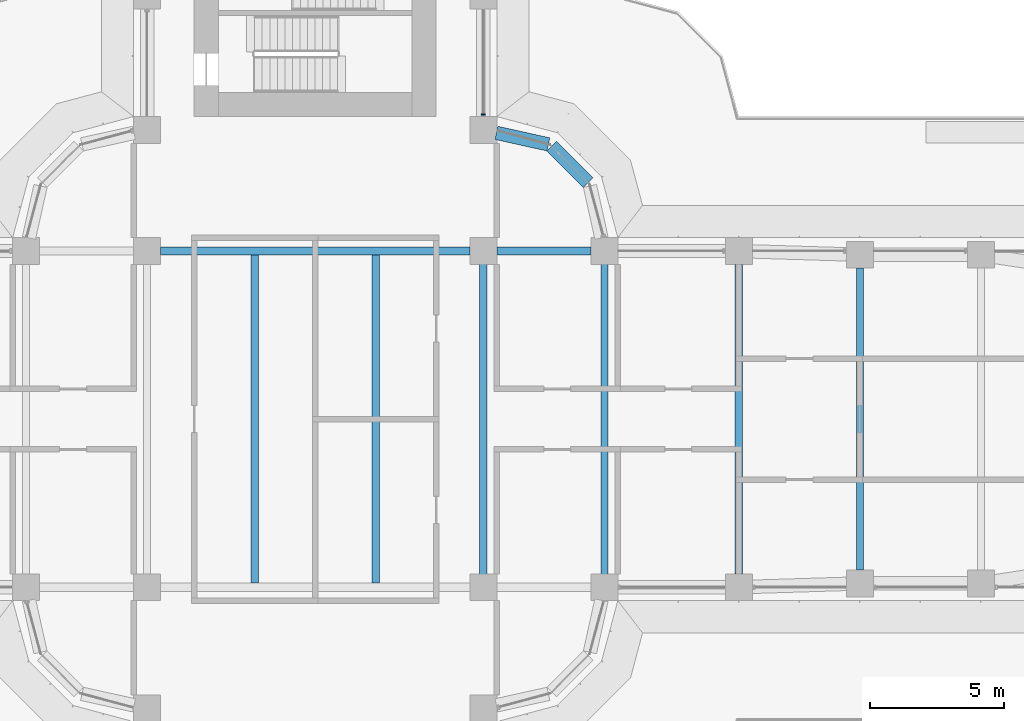
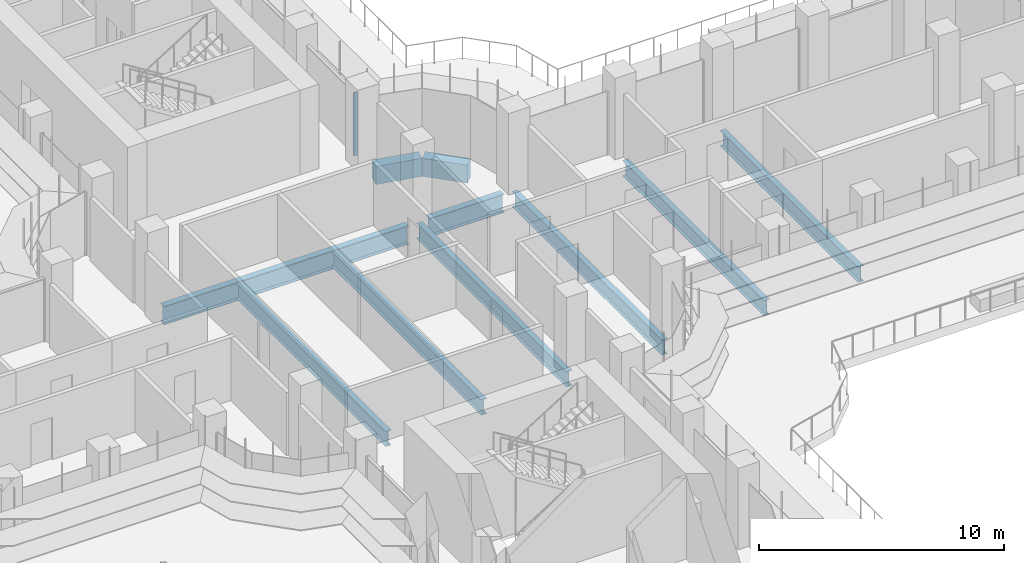
# One storey, part 8 of 26: 10 beams, 1 member, 1 element without a shape of its own.
"""IFC4 building model written with IfcOpenShell, lengths in metres."""

from ifc_helpers import new_model, si_unit, direction, frame, origin, origin_2d, place, context, subcontext, project, spatial, polyline, rectangle, i_section, outline, extrude, source, transform, mapped, material, material_profile, profile_set, type_object, element, aggregate, save


model = new_model("IFC4")

# Units and contexts
model_context = context("Model", 3, precision=1e-05, world=origin(), true_north=direction((0.0, 1.0)))
body_context = subcontext(model_context, "Body", "Model", "MODEL_VIEW")
ifc_project = project(units=[si_unit("LENGTHUNIT", "METRE"), si_unit("AREAUNIT", "SQUARE_METRE"), si_unit("VOLUMEUNIT", "CUBIC_METRE"), si_unit("PLANEANGLEUNIT", "RADIAN"), si_unit("MASSUNIT", "GRAM", prefix="KILO")], contexts=[model_context])

# Site, building, storey
site_placement = place(None, origin())
site = spatial("IfcSite", under=ifc_project, at=site_placement, CompositionType="ELEMENT")
building_placement = place(site_placement, origin())
building = spatial("IfcBuilding", under=site, at=building_placement, Name="Zarbagh Exchange Tower", CompositionType="ELEMENT")
storey_placement = place(building_placement, frame((0.0, 0.0, 27.0)))
storey = spatial("IfcBuildingStorey", under=building, at=storey_placement, Name="L05", CompositionType="ELEMENT", Elevation=27.0)

# Beams
ifc_material_1 = material(Name="Steel ASTM A992 Gr 50", Category="steel")
ifc_material_profile_1 = material_profile(ifc_material_1, i_section(OverallWidth=0.2666015625, OverallDepth=0.76708984375, WebThickness=0.014892578125, FlangeThickness=0.023681640625, at=origin_2d()), Name="W30X124")
ifc_profile_set_1 = profile_set([ifc_material_profile_1], Name="Steel ASTM A992 Gr 50")
beam_type_1 = type_object("IfcBeamType", Name="Floor beam W30X124", PredefinedType="BEAM", material=ifc_profile_set_1)
for number, where, z_axis, x_axis, name in (
    (1, (-2.25, -6.09765625, -0.533447265625), (0.0, 1.0, 0.0), (-1.0, 0.0, 0.0), "Steel floor beam"),
    (2, (2.25, -6.09765625, -0.533447265625), (0.0, 1.0, 0.0), (-1.0, 0.0, 0.0), "Steel floor beam"),
    (3, (6.25, -6.09765625, -0.533447265625), (0.0, 1.0, 0.0), (-1.0, 0.0, 0.0), "Steel floor beam"),
    (4, (10.75, -6.09765625, -0.533447265625), (0.0, 1.0, 0.0), (-1.0, 0.0, 0.0), "Steel floor beam"),
):
    element("IfcBeam", number, at=place(storey_placement, frame(where, z_axis=z_axis, x_axis=x_axis)), inside=storey, type_object=beam_type_1, Name=name, PredefinedType="BEAM", context=body_context, shape_type="SweptSolid", body=[
        extrude(i_section(OverallWidth=0.2666015625, OverallDepth=0.76708984375, WebThickness=0.014892578125, FlangeThickness=0.023681640625, at=origin_2d()), origin(), (0.0, 0.0, 1.0), 12.1953125),
    ])
beam_1_placement = place(storey_placement, frame((15.75, -5.75, -0.533447265625), z_axis=(0.0, 1.0, 0.0), x_axis=(-1.0, 0.0, 0.0)))
element("IfcBeam", 5, at=beam_1_placement, inside=storey, type_object=beam_type_1, Name="Steel floor beam", PredefinedType="BEAM", context=body_context, shape_type="SweptSolid", body=[
    extrude(i_section(OverallWidth=0.2666015625, OverallDepth=0.76708984375, WebThickness=0.014892578125, FlangeThickness=0.023681640625, at=origin_2d()), origin(), (0.0, 0.0, 1.0), 11.5),
])
beam_2_placement = place(storey_placement, frame((20.25, -5.610107421875, -0.533447265625), z_axis=(0.0, 1.0, 0.0), x_axis=(-1.0, 0.0, 0.0)))
element("IfcBeam", 6, at=beam_2_placement, inside=storey, type_object=beam_type_1, Name="Steel floor beam", PredefinedType="BEAM", context=body_context, shape_type="SweptSolid", body=[
    extrude(i_section(OverallWidth=0.2666015625, OverallDepth=0.76708984375, WebThickness=0.014892578125, FlangeThickness=0.023681640625, at=origin_2d()), origin(), (0.0, 0.0, 1.0), 11.22021484375),
])
ifc_material_profile_2 = material_profile(ifc_material_1, i_section(OverallWidth=0.3046875, OverallDepth=0.91943359375, WebThickness=0.017333984375, FlangeThickness=0.02783203125, at=origin_2d()), Name="W36X170")
ifc_profile_set_2 = profile_set([ifc_material_profile_2], Name="Steel ASTM A992 Gr 50")
beam_type_2 = type_object("IfcBeamType", Name="Floor girder W36X170", PredefinedType="BEAM", material=ifc_profile_set_2)
beam_3_placement = place(storey_placement, frame((-5.75, 6.25, -0.609619140625), z_axis=(1.0, 0.0, 0.0), x_axis=(0.0, 1.0, 0.0)))
element("IfcBeam", 7, at=beam_3_placement, inside=storey, type_object=beam_type_2, Name="Steel girder", PredefinedType="BEAM", context=body_context, shape_type="SweptSolid", body=[
    extrude(i_section(OverallWidth=0.3046875, OverallDepth=0.91943359375, WebThickness=0.017333984375, FlangeThickness=0.02783203125, at=origin_2d()), origin(), (0.0, 0.0, 1.0), 11.5),
])
beam_4_placement = place(storey_placement, frame((6.75, 6.25, -0.609619140625), z_axis=(1.0, 0.0, 0.0), x_axis=(0.0, 1.0, 0.0)))
element("IfcBeam", 8, at=beam_4_placement, inside=storey, type_object=beam_type_2, Name="Steel girder", PredefinedType="BEAM", context=body_context, shape_type="SweptSolid", body=[
    extrude(i_section(OverallWidth=0.3046875, OverallDepth=0.91943359375, WebThickness=0.017333984375, FlangeThickness=0.02783203125, at=origin_2d()), origin(), (0.0, 0.0, 1.0), 3.5),
])
ifc_material_2 = material(Name="Concrete C60/75", Category="concrete")
ifc_material_profile_3 = material_profile(ifc_material_2, rectangle(XDim=0.5, YDim=0.89990234375, at=origin_2d()), Name="RC spandrel beam 500 x 900 C60/75")
ifc_profile_set_3 = profile_set([ifc_material_profile_3], Name="Concrete C60/75")
beam_type_3 = type_object("IfcBeamType", Name="RC spandrel beam 500 x 900 C60/75", PredefinedType="SPANDREL", material=ifc_profile_set_3)
beam_5_placement = place(storey_placement, frame((6.73828125, 10.64208984375, -0.60009765625), z_axis=(0.976375426825, -0.216081063242, 0.0), x_axis=(0.216081063242, 0.976375426825, 0.0)))
element("IfcBeam", 9, at=beam_5_placement, inside=storey, type_object=beam_type_3, Name="RC spandrel beam", PredefinedType="SPANDREL", context=body_context, shape_type="SweptSolid", body=[
    extrude(rectangle(XDim=0.5, YDim=0.89990234375, at=origin_2d()), origin(), (0.0, 0.0, 1.0), 1.978271484375),
])
beam_6_placement = place(storey_placement, frame((8.792724609375, 10.147216796875, -0.60009765625), z_axis=(0.707106781187, -0.707106781187, 0.0), x_axis=(0.707106781187, 0.707106781187, 0.0)))
element("IfcBeam", 10, at=beam_6_placement, inside=storey, type_object=beam_type_3, Name="RC spandrel beam", PredefinedType="SPANDREL", context=body_context, shape_type="SweptSolid", body=[
    extrude(rectangle(XDim=0.5, YDim=0.89990234375, at=origin_2d()), origin(), (0.0, 0.0, 1.0), 1.91552734375),
])

# Curtain wall, member
ifc_material_3 = material(Name="Anodised aluminium frame and glazing", Category="aluminium")
curtain_wall_type = type_object("IfcCurtainWallType", Name="CWA Ribbon glazing, lower zones", PredefinedType="NOTDEFINED", material=ifc_material_3)
curtain_wall_placement = place(storey_placement, origin())
curtain_wall = element("IfcCurtainWall", 11, at=curtain_wall_placement, inside=storey, type_object=curtain_wall_type, Name="CWA20 curtain wall", PredefinedType="NOTDEFINED")
ifc_material_4 = material(Name="Anodised aluminium frame", Category="aluminium")
member_type = type_object("IfcMemberType", Name="MUA Mullion, anodised aluminium frame", PredefinedType="MULLION", material=ifc_material_4)
shared_shape = source(origin(), body_context, "Body", "SweptSolid", [
    extrude(outline(polyline([(0.0, -0.080078125), (0.06005859375, -0.080078125), (0.06005859375, 0.080078125), (0.0, 0.080078125), (0.0, -0.080078125)])), origin(), (0.0, 0.0, 1.0), 3.14990234375),
])
member_placement = place(storey_placement, origin())
member = element("IfcMember", 12, at=member_placement, type_object=member_type, Name="CWA20 mullion 1.1", PredefinedType="MULLION", context=body_context, shape_type="MappedRepresentation", body=[
    mapped(shared_shape, transform((6.25, 11.2900390625, 0.0), x_axis=(0.0, 1.0, 0.0), y_axis=(-1.0, 0.0, 0.0), z_axis=(0.0, 0.0, 1.0))),
])
aggregate(curtain_wall, [member])

save(model, "model.ifc")
